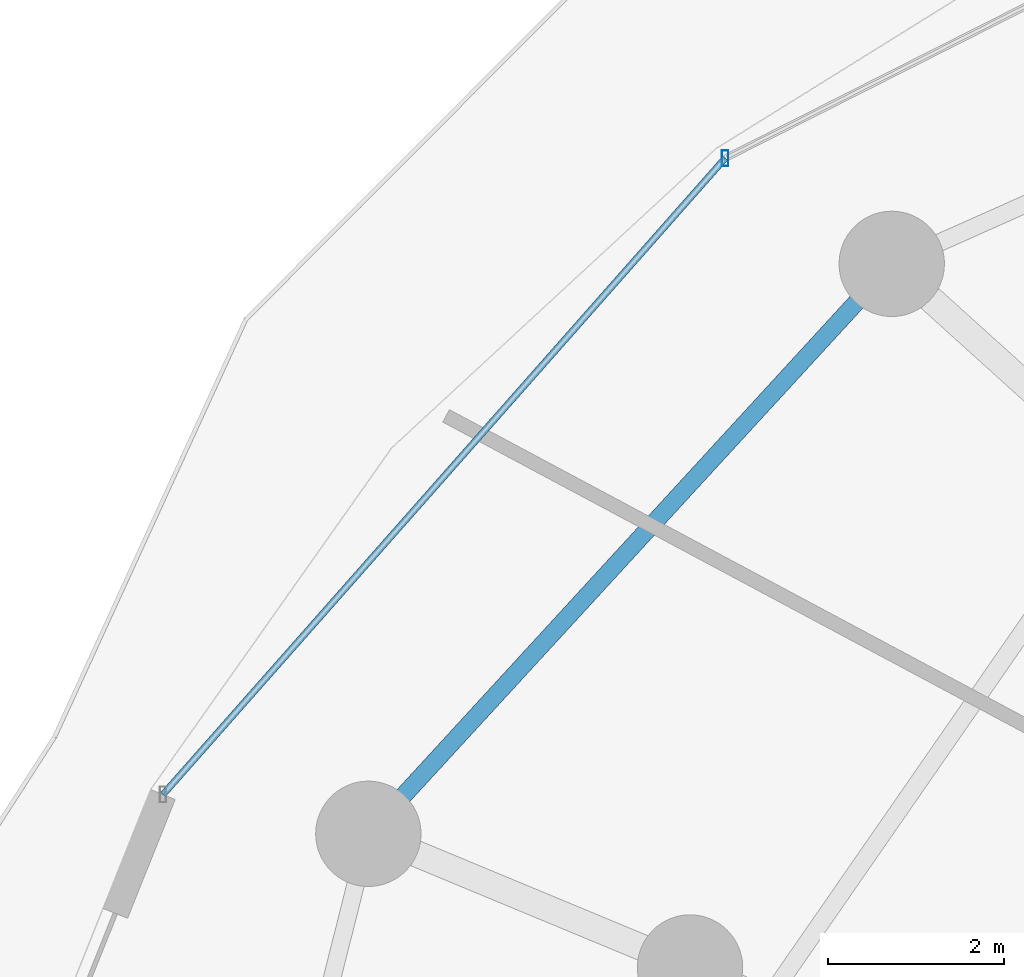
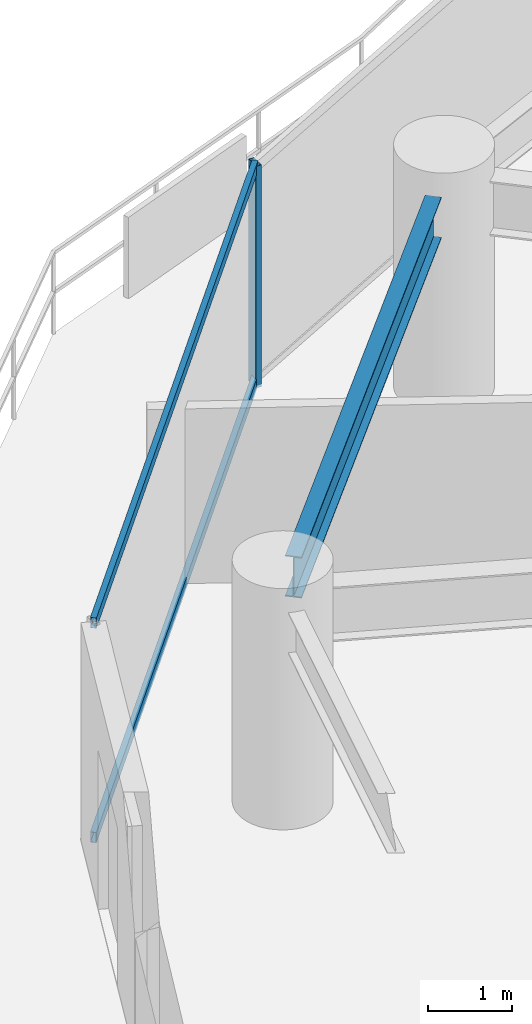
# One storey, part 19 of 34: 3 members, 1 beam, 1 element without a shape of its own.
"""IFC4 building model written with IfcOpenShell, lengths in metres."""

from ifc_helpers import new_model, si_unit, direction, frame, origin, origin_2d, place, context, subcontext, project, spatial, hollow_rectangle, i_section, extrude, material, material_profile, profile_set, type_object, element, aggregate, save


model = new_model("IFC4")

# Units and contexts
model_context = context("Model", 3, precision=1e-05, world=origin(), true_north=direction((0.0, 1.0)))
body_context = subcontext(model_context, "Body", "Model", "MODEL_VIEW")
ifc_project = project(units=[si_unit("LENGTHUNIT", "METRE"), si_unit("AREAUNIT", "SQUARE_METRE"), si_unit("VOLUMEUNIT", "CUBIC_METRE"), si_unit("PLANEANGLEUNIT", "RADIAN"), si_unit("MASSUNIT", "GRAM", prefix="KILO")], contexts=[model_context])

# Site, building, storey
site_placement = place(None, origin())
site = spatial("IfcSite", under=ifc_project, at=site_placement, CompositionType="ELEMENT")
building_placement = place(site_placement, origin())
building = spatial("IfcBuilding", under=site, at=building_placement, Name="Vorneva Point Tower", CompositionType="ELEMENT")
storey_placement = place(building_placement, frame((0.0, 0.0, 66.0)))
storey = spatial("IfcBuildingStorey", under=building, at=storey_placement, Name="L17", CompositionType="ELEMENT", Elevation=66.0)

# Beam
ifc_material_1 = material(Name="Steel S355", Category="steel")
ifc_material_profile_1 = material_profile(ifc_material_1, i_section(OverallWidth=0.198974609375, OverallDepth=0.595947265625, WebThickness=0.010009765625, FlangeThickness=0.014892578125, at=origin_2d()), Name="60B1")
ifc_profile_set_1 = profile_set([ifc_material_profile_1], Name="Steel S355")
beam_type = type_object("IfcBeamType", Name="BM-SPN-60B1", PredefinedType="SPANDREL", material=ifc_profile_set_1)
beam_placement = place(storey_placement, frame((18.60693359375, 40.1689453125, 2.85205078125), z_axis=(-0.676359049176, -0.736572085133, 0.0), x_axis=(0.736572085133, -0.676359049176, 0.0)))
element("IfcBeam", 1, at=beam_placement, inside=storey, type_object=beam_type, Name="L17 Perimeter Spandrel Ring Beam 07", PredefinedType="SPANDREL", context=body_context, shape_type="SweptSolid", body=[
    extrude(i_section(OverallWidth=0.198974609375, OverallDepth=0.595947265625, WebThickness=0.010009765625, FlangeThickness=0.014892578125, at=origin_2d()), origin(), (0.0, 0.0, 1.0), 7.64697265625),
])

# Curtain wall, members
ifc_material_2 = material(Name="Pale anodised aluminium", Category="aluminium")
curtain_wall_type = type_object("IfcCurtainWallType", Name="CW-HTL-SYS", PredefinedType="NOTDEFINED", material=ifc_material_2)
curtain_wall_placement = place(storey_placement, origin())
curtain_wall = element("IfcCurtainWall", 2, at=curtain_wall_placement, inside=storey, type_object=curtain_wall_type, Name="L17 Unitised Curtain Wall CW-L17-R02", PredefinedType="NOTDEFINED")
ifc_material_profile_2 = material_profile(ifc_material_2, hollow_rectangle(XDim=0.074951171875, YDim=0.179931640625, WallThickness=0.00390625, at=origin_2d()), Name="AL-MUL 180x75x4")
ifc_profile_set_2 = profile_set([ifc_material_profile_2], Name="Pale anodised aluminium")
member_type_1 = type_object("IfcMemberType", Name="CW-MUL-180", PredefinedType="MULLION", material=ifc_profile_set_2)
member_1_placement = place(storey_placement, frame((17.10498046875, 41.8037109375, -0.0400390625), z_axis=(0.0, 0.0, 1.0), x_axis=(1.0, 0.0, 0.0)))
member_1 = element("IfcMember", 3, at=member_1_placement, type_object=member_type_1, Name="CW-L17-R02 Mullion 05", PredefinedType="MULLION", context=body_context, shape_type="SweptSolid", body=[
    extrude(hollow_rectangle(XDim=0.074951171875, YDim=0.179931640625, WallThickness=0.00390625, at=origin_2d()), origin(), (0.0, 0.0, 1.0), 3.219970703125),
])
ifc_material_profile_3 = material_profile(ifc_material_2, hollow_rectangle(XDim=0.074951171875, YDim=0.14990234375, WallThickness=0.00390625, at=origin_2d()), Name="AL-TRN 150x75x4")
ifc_profile_set_3 = profile_set([ifc_material_profile_3], Name="Pale anodised aluminium")
member_type_2 = type_object("IfcMemberType", Name="CW-TRN-150", PredefinedType="USERDEFINED", material=ifc_profile_set_3)
member_2_placement = place(storey_placement, frame((17.10498046875, 41.8037109375, 0.02001953125), z_axis=(-0.662075539029, -0.749437109182, 0.0), x_axis=(0.749437109182, -0.662075539029, 0.0)))
member_2 = element("IfcMember", 4, at=member_2_placement, type_object=member_type_2, Name="CW-L17-R02 Transom 05.1", ObjectType="TRANSOM", PredefinedType="USERDEFINED", context=body_context, shape_type="SweptSolid", body=[
    extrude(hollow_rectangle(XDim=0.074951171875, YDim=0.14990234375, WallThickness=0.00390625, at=origin_2d()), origin(), (0.0, 0.0, 1.0), 9.6748046875),
])
member_3_placement = place(storey_placement, frame((17.10498046875, 41.8037109375, 3.1298828125), z_axis=(-0.662075539029, -0.749437109182, 0.0), x_axis=(0.749437109182, -0.662075539029, 0.0)))
member_3 = element("IfcMember", 5, at=member_3_placement, type_object=member_type_2, Name="CW-L17-R02 Transom 05.2", ObjectType="TRANSOM", PredefinedType="USERDEFINED", context=body_context, shape_type="SweptSolid", body=[
    extrude(hollow_rectangle(XDim=0.074951171875, YDim=0.14990234375, WallThickness=0.00390625, at=origin_2d()), origin(), (0.0, 0.0, 1.0), 9.6748046875),
])
aggregate(curtain_wall, [member_1, member_2, member_3])

save(model, "model.ifc")
